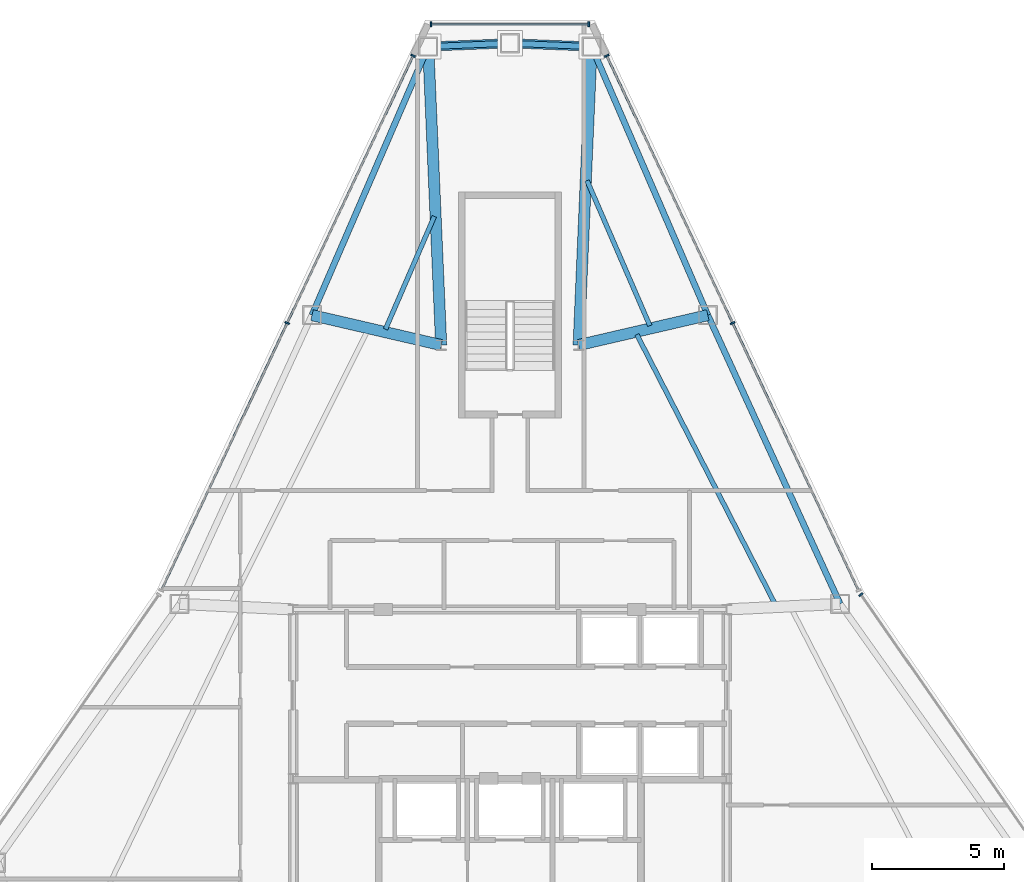
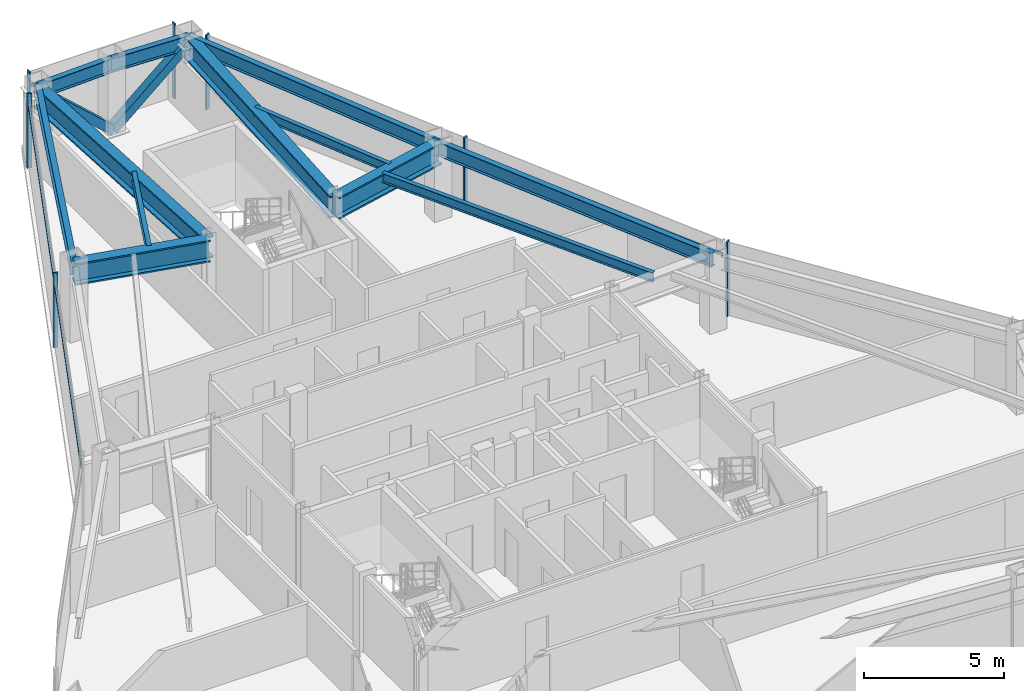
# One storey, part 7 of 12: 12 beams, 12 members, 4 elements without a shape of their own.
"""IFC4 building model written with IfcOpenShell, lengths in metres."""

from ifc_helpers import new_model, si_unit, direction, frame, origin, origin_2d, place, context, subcontext, project, spatial, rectangle, hollow_rectangle, i_section, extrude, source, transform, mapped, material, layer, layer_set, material_profile, profile_set, type_object, type_shapes, element, aggregate, save


model = new_model("IFC4")

# Units and contexts
model_context = context("Model", 3, precision=1e-05, world=origin(), true_north=direction((0.0, 1.0)))
body_context = subcontext(model_context, "Body", "Model", "MODEL_VIEW")
ifc_project = project(units=[si_unit("LENGTHUNIT", "METRE"), si_unit("AREAUNIT", "SQUARE_METRE"), si_unit("VOLUMEUNIT", "CUBIC_METRE"), si_unit("PLANEANGLEUNIT", "RADIAN"), si_unit("MASSUNIT", "GRAM", prefix="KILO")], contexts=[model_context])

# Site, building, storey
site_placement = place(None, origin())
site = spatial("IfcSite", under=ifc_project, at=site_placement, CompositionType="ELEMENT")
building_placement = place(site_placement, origin())
building = spatial("IfcBuilding", under=site, at=building_placement, Name="Varakhsha Concourse Tower", CompositionType="ELEMENT")
storey_placement = place(building_placement, frame((0.0, 0.0, 229.39990234375)))
storey = spatial("IfcBuildingStorey", under=building, at=storey_placement, Name="L65", CompositionType="ELEMENT", Elevation=229.39990234375)

# Beams
ifc_material_1 = material(Name="Structural Steel ASTM A992 Grade 50", Category="steel")
ifc_material_profile_1 = material_profile(ifc_material_1, i_section(OverallWidth=0.177978515625, OverallDepth=0.406982421875, WebThickness=0.008056640625, FlangeThickness=0.012939453125, at=origin_2d()), Name="W16X40")
ifc_profile_set_1 = profile_set([ifc_material_profile_1], Name="Structural Steel ASTM A992 Grade 50")
beam_type_1 = type_object("IfcBeamType", Name="BM-JST-W16X40", PredefinedType="JOIST", material=ifc_profile_set_1)
beam_1_placement = place(storey_placement, frame((37.140625, 46.0673828125, 3.046630859375), z_axis=(-0.397166916615, -0.917746392173, 0.0), x_axis=(0.917746392173, -0.397166916615, 0.0)))
element("IfcBeam", 1, at=beam_1_placement, inside=storey, type_object=beam_type_1, Name="BM-TJST-L65-03", PredefinedType="JOIST", context=body_context, shape_type="SweptSolid", body=[
    extrude(i_section(OverallWidth=0.177978515625, OverallDepth=0.406982421875, WebThickness=0.008056640625, FlangeThickness=0.012939453125, at=origin_2d()), origin(), (0.0, 0.0, 1.0), 4.65087890625),
])
beam_2_placement = place(storey_placement, frame((50.037353515625, 31.390869140625, 3.046630859375), z_axis=(-0.456398720102, 0.889775369568, 0.0), x_axis=(-0.889775369568, -0.456398720102, 0.0)))
element("IfcBeam", 2, at=beam_2_placement, inside=storey, type_object=beam_type_1, Name="BM-TJST-L65-17", PredefinedType="JOIST", context=body_context, shape_type="SweptSolid", body=[
    extrude(i_section(OverallWidth=0.177978515625, OverallDepth=0.406982421875, WebThickness=0.008056640625, FlangeThickness=0.012939453125, at=origin_2d()), origin(), (0.0, 0.0, 1.0), 11.47412109375),
])
beam_3_placement = place(storey_placement, frame((45.293212890625, 41.93505859375, 3.046630859375), z_axis=(-0.397223519068, 0.917721894639, 0.0), x_axis=(-0.917721894639, -0.397223519068, 0.0)))
element("IfcBeam", 3, at=beam_3_placement, inside=storey, type_object=beam_type_1, Name="BM-TJST-L65-18", PredefinedType="JOIST", context=body_context, shape_type="SweptSolid", body=[
    extrude(i_section(OverallWidth=0.177978515625, OverallDepth=0.406982421875, WebThickness=0.008056640625, FlangeThickness=0.012939453125, at=origin_2d()), origin(), (0.0, 0.0, 1.0), 5.97900390625),
])
ifc_material_profile_2 = material_profile(ifc_material_1, i_section(OverallWidth=0.423095703125, OverallDepth=0.947998046875, WebThickness=0.0380859375, FlangeThickness=0.06396484375, at=origin_2d()), Name="W36X302")
ifc_profile_set_2 = profile_set([ifc_material_profile_2], Name="Structural Steel ASTM A992 Grade 50")
beam_type_2 = type_object("IfcBeamType", Name="BM-OUTR-W36X302", PredefinedType="USERDEFINED", material=ifc_profile_set_2)
for number, where, z_axis, x_axis, name in (
    (4, (42.60009765625, 41.199951171875, 2.776123046875), (0.043353794227, 0.999059782258, 0.0), (-0.999059782258, 0.043353794227, 0.0), "L65 Radial Floor Girder 01"),
    (5, (37.39990234375, 41.199951171875, 2.776123046875), (-0.043353794227, 0.999059782258, 0.0), (-0.999059782258, -0.043353794227, 0.0), "L65 Radial Floor Girder 03"),
):
    element("IfcBeam", number, at=place(storey_placement, frame(where, z_axis=z_axis, x_axis=x_axis)), inside=storey, type_object=beam_type_2, Name=name, ObjectType="GIRDER", PredefinedType="USERDEFINED", context=body_context, shape_type="SweptSolid", body=[
        extrude(i_section(OverallWidth=0.423095703125, OverallDepth=0.947998046875, WebThickness=0.0380859375, FlangeThickness=0.06396484375, at=origin_2d()), origin(), (0.0, 0.0, 1.0), 11.30224609375),
    ])
for number, where, z_axis, x_axis, name in (
    (6, (37.39990234375, 41.199951171875, 2.776123046875), (-0.974191491968, 0.225723142316, 0.0), (-0.225723142316, -0.974191491968, 0.0), "L65 Radial Floor Girder 04"),
    (7, (42.60009765625, 41.199951171875, 2.776123046875), (0.974191491968, 0.225723142316, 0.0), (-0.225723142316, 0.974191491968, 0.0), "L65 Radial Floor Girder 18"),
):
    element("IfcBeam", number, at=place(storey_placement, frame(where, z_axis=z_axis, x_axis=x_axis)), inside=storey, type_object=beam_type_2, Name=name, ObjectType="GIRDER", PredefinedType="USERDEFINED", context=body_context, shape_type="SweptSolid", body=[
        extrude(i_section(OverallWidth=0.423095703125, OverallDepth=0.947998046875, WebThickness=0.0380859375, FlangeThickness=0.06396484375, at=origin_2d()), origin(), (0.0, 0.0, 1.0), 5.016357421875),
    ])
ifc_material_profile_3 = material_profile(ifc_material_1, i_section(OverallWidth=0.22900390625, OverallDepth=0.612060546875, WebThickness=0.011962890625, FlangeThickness=0.02001953125, at=origin_2d()), Name="W24X84")
ifc_profile_set_3 = profile_set([ifc_material_profile_3], Name="Structural Steel ASTM A992 Grade 50")
beam_type_3 = type_object("IfcBeamType", Name="BM-SPAN-W24X84", PredefinedType="SPANDREL", material=ifc_profile_set_3)
for number, where, z_axis, x_axis, name in (
    (8, (43.090087890625, 52.491455078125, 2.944091796875), (-0.999170021385, 0.040734117961, 0.0), (-0.040734117961, -0.999170021385, 0.0), "BM-SPAN-L65-01"),
    (9, (40.0, 52.617431640625, 2.944091796875), (-0.999170021385, -0.040734117961, 0.0), (0.040734117961, -0.999170021385, 0.0), "BM-SPAN-L65-02"),
):
    element("IfcBeam", number, at=place(storey_placement, frame(where, z_axis=z_axis, x_axis=x_axis)), inside=storey, type_object=beam_type_3, Name=name, PredefinedType="SPANDREL", context=body_context, shape_type="SweptSolid", body=[
        extrude(i_section(OverallWidth=0.22900390625, OverallDepth=0.612060546875, WebThickness=0.011962890625, FlangeThickness=0.02001953125, at=origin_2d()), origin(), (0.0, 0.0, 1.0), 3.0927734375),
    ])
beam_4_placement = place(storey_placement, frame((36.909912109375, 52.491455078125, 2.944091796875), z_axis=(-0.397201381513, -0.917731476263, 0.0), x_axis=(0.917731476263, -0.397201381513, 0.0)))
element("IfcBeam", 10, at=beam_4_placement, inside=storey, type_object=beam_type_3, Name="BM-SPAN-L65-03", PredefinedType="SPANDREL", context=body_context, shape_type="SweptSolid", body=[
    extrude(i_section(OverallWidth=0.22900390625, OverallDepth=0.612060546875, WebThickness=0.011962890625, FlangeThickness=0.02001953125, at=origin_2d()), origin(), (0.0, 0.0, 1.0), 11.06982421875),
])
beam_5_placement = place(storey_placement, frame((52.489990234375, 31.4111328125, 2.944091796875), z_axis=(-0.416476249185, 0.909146596466, 0.0), x_axis=(-0.909146596466, -0.416476249185, 0.0)))
element("IfcBeam", 11, at=beam_5_placement, inside=storey, type_object=beam_type_3, Name="BM-SPAN-L65-17", PredefinedType="SPANDREL", context=body_context, shape_type="SweptSolid", body=[
    extrude(i_section(OverallWidth=0.22900390625, OverallDepth=0.612060546875, WebThickness=0.011962890625, FlangeThickness=0.02001953125, at=origin_2d()), origin(), (0.0, 0.0, 1.0), 12.012451171875),
])
beam_6_placement = place(storey_placement, frame((47.487060546875, 42.332275390625, 2.944091796875), z_axis=(-0.397201381513, 0.917731476263, 0.0), x_axis=(-0.917731476263, -0.397201381513, 0.0)))
element("IfcBeam", 12, at=beam_6_placement, inside=storey, type_object=beam_type_3, Name="BM-SPAN-L65-18", PredefinedType="SPANDREL", context=body_context, shape_type="SweptSolid", body=[
    extrude(i_section(OverallWidth=0.22900390625, OverallDepth=0.612060546875, WebThickness=0.011962890625, FlangeThickness=0.02001953125, at=origin_2d()), origin(), (0.0, 0.0, 1.0), 11.06982421875),
])

# Members
ifc_material_2 = material(Name="Structural Steel ASTM A500 Grade C", Category="steel")
ifc_material_profile_4 = material_profile(ifc_material_2, hollow_rectangle(XDim=0.35009765625, YDim=0.35009765625, WallThickness=0.01611328125, at=origin_2d()), Name="HSS 350x350x16")
ifc_profile_set_4 = profile_set([ifc_material_profile_4], Name="Structural Steel ASTM A500 Grade C")
member_type_1 = type_object("IfcMemberType", Name="MB-TUBE-HSS350", PredefinedType="BRACE", material=ifc_profile_set_4)
shared_shape_1 = source(origin(), body_context, "Body", "SweptSolid", [
    extrude(hollow_rectangle(XDim=0.35009765625, YDim=0.35009765625, WallThickness=0.01611328125, at=origin_2d()), origin(), (0.0, 0.0, 1.0), 4.192138671875),
])
type_shapes(member_type_1, [shared_shape_1])
for number, where, z_axis, x_axis, name in (
    (13, (40.0, 52.617431640625, 0.1201171875), (0.737118493094, -0.030050813181, 0.675095012399), (0.040734117961, 0.999170021385, 0.0), "L65 Wind-Corner Tube Brace B01"),
    (14, (40.0, 52.617431640625, 0.1201171875), (-0.737118493094, -0.030050813181, 0.675095012399), (0.040734117961, -0.999170021385, 0.0), "L65 Wind-Corner Tube Brace B02"),
):
    element("IfcMember", number, at=place(storey_placement, frame(where, z_axis=z_axis, x_axis=x_axis)), inside=storey, type_object=member_type_1, Name=name, PredefinedType="BRACE", context=body_context, shape_type="MappedRepresentation", body=[
        mapped(shared_shape_1, transform((0.0, 0.0, 0.0), scale=1.0)),
    ])

# Curtain wall, members
ifc_material_3 = material(Name="Anodised Bronze Architectural Aluminium AA 6063-T6", Category="aluminium")
ifc_layer = layer(ifc_material_3, 0.199951171875, Name="CW-SYS-05")
ifc_layer_set = layer_set([ifc_layer], Name="Anodised Bronze Architectural Aluminium AA 6063-T6")
curtain_wall_type = type_object("IfcCurtainWallType", Name="CW-SYS-05", PredefinedType="NOTDEFINED", material=ifc_layer_set)
curtain_wall_1_placement = place(storey_placement, origin())
curtain_wall_1 = element("IfcCurtainWall", 15, at=curtain_wall_1_placement, inside=storey, type_object=curtain_wall_type, Name="L65 Chamfer Curtain Wall F1", PredefinedType="NOTDEFINED")
ifc_material_profile_5 = material_profile(ifc_material_3, rectangle(XDim=0.06494140625, YDim=0.179931640625, at=origin_2d()), Name="CWM-180X65")
ifc_profile_set_5 = profile_set([ifc_material_profile_5], Name="Anodised Bronze Architectural Aluminium AA 6063-T6")
member_type_2 = type_object("IfcMemberType", Name="CWM-180X65", PredefinedType="MULLION", material=ifc_profile_set_5)
shared_shape_2 = source(origin(), body_context, "Body", "SweptSolid", [
    extrude(rectangle(XDim=0.06494140625, YDim=0.179931640625, at=origin_2d()), origin(), (0.0, 0.0, 1.0), 3.25),
])
type_shapes(member_type_2, [shared_shape_2])
member_1_placement = place(storey_placement, frame((37.02001953125, 53.33740234375, 0.0), z_axis=(0.0, 0.0, 1.0), x_axis=(1.0, 0.0, 0.0)))
member_1 = element("IfcMember", 16, at=member_1_placement, type_object=member_type_2, Name="CW-L65-F1 Mullion 00", PredefinedType="MULLION", context=body_context, shape_type="MappedRepresentation", body=[
    mapped(shared_shape_2, transform((0.0, 0.0, 0.0), scale=1.0)),
])
member_2_placement = place(storey_placement, frame((42.97998046875, 53.33740234375, 0.0), z_axis=(0.0, 0.0, 1.0), x_axis=(1.0, 0.0, 0.0)))
member_2 = element("IfcMember", 17, at=member_2_placement, type_object=member_type_2, Name="CW-L65-F1 Mullion 01", PredefinedType="MULLION", context=body_context, shape_type="MappedRepresentation", body=[
    mapped(shared_shape_2, transform((0.0, 0.0, 0.0), scale=1.0)),
])

curtain_wall_2_placement = place(storey_placement, origin())
curtain_wall_2 = element("IfcCurtainWall", 18, at=curtain_wall_2_placement, inside=storey, type_object=curtain_wall_type, Name="L65 Crystal Curtain Wall F2", PredefinedType="NOTDEFINED")
member_3_placement = place(storey_placement, frame((31.575927734375, 42.032958984375, 0.0), z_axis=(0.0, 0.0, 1.0), x_axis=(0.426172477405, 0.904641928888, 0.0)))
member_3 = element("IfcMember", 19, at=member_3_placement, type_object=member_type_2, Name="CW-L65-F2 Mullion 01", PredefinedType="MULLION", context=body_context, shape_type="MappedRepresentation", body=[
    mapped(shared_shape_2, transform((0.0, 0.0, 0.0), scale=1.0)),
])
member_4_placement = place(storey_placement, frame((36.339599609375, 52.14453125, 0.0), z_axis=(0.0, 0.0, 1.0), x_axis=(0.426172477405, 0.904641928888, 0.0)))
member_4 = element("IfcMember", 20, at=member_4_placement, type_object=member_type_2, Name="CW-L65-F2 Mullion 02", PredefinedType="MULLION", context=body_context, shape_type="MappedRepresentation", body=[
    mapped(shared_shape_2, transform((0.0, 0.0, 0.0), scale=1.0)),
])

# Curtain wall, member
curtain_wall_3_placement = place(storey_placement, origin())
curtain_wall_3 = element("IfcCurtainWall", 21, at=curtain_wall_3_placement, inside=storey, type_object=curtain_wall_type, Name="L65 Crystal Curtain Wall F8", PredefinedType="NOTDEFINED")
member_5_placement = place(storey_placement, frame((53.280517578125, 31.760009765625, 0.0), z_axis=(0.0, 0.0, 1.0), x_axis=(0.570360953861, -0.821394169879, 0.0)))
member_5 = element("IfcMember", 22, at=member_5_placement, type_object=member_type_2, Name="CW-L65-F8 Mullion 00", PredefinedType="MULLION", context=body_context, shape_type="MappedRepresentation", body=[
    mapped(shared_shape_2, transform((0.0, 0.0, 0.0), scale=1.0)),
])
aggregate(curtain_wall_3, [member_5])

# Curtain wall, members
curtain_wall_4_placement = place(storey_placement, origin())
curtain_wall_4 = element("IfcCurtainWall", 23, at=curtain_wall_4_placement, inside=storey, type_object=curtain_wall_type, Name="L65 Crystal Curtain Wall F9", PredefinedType="NOTDEFINED")
member_6_placement = place(storey_placement, frame((43.660400390625, 52.14453125, 0.0), z_axis=(0.0, 0.0, 1.0), x_axis=(0.426172477405, -0.904641928888, 0.0)))
member_6 = element("IfcMember", 24, at=member_6_placement, type_object=member_type_2, Name="CW-L65-F9 Mullion 00", PredefinedType="MULLION", context=body_context, shape_type="MappedRepresentation", body=[
    mapped(shared_shape_2, transform((0.0, 0.0, 0.0), scale=1.0)),
])
member_7_placement = place(storey_placement, frame((48.423828125, 42.032958984375, 0.0), z_axis=(0.0, 0.0, 1.0), x_axis=(0.426172477405, -0.904641928888, 0.0)))
member_7 = element("IfcMember", 25, at=member_7_placement, type_object=member_type_2, Name="CW-L65-F9 Mullion 01", PredefinedType="MULLION", context=body_context, shape_type="MappedRepresentation", body=[
    mapped(shared_shape_2, transform((0.0, 0.0, 0.0), scale=1.0)),
])

# Member
ifc_material_profile_6 = material_profile(ifc_material_3, rectangle(XDim=0.06005859375, YDim=0.139892578125, at=origin_2d()), Name="CWT-140X60")
ifc_profile_set_6 = profile_set([ifc_material_profile_6], Name="Anodised Bronze Architectural Aluminium AA 6063-T6")
member_type_3 = type_object("IfcMemberType", Name="CWT-140X60", PredefinedType="USERDEFINED", material=ifc_profile_set_6)
shared_shape_3 = source(origin(), body_context, "Body", "SweptSolid", [
    extrude(rectangle(XDim=0.06005859375, YDim=0.139892578125, at=origin_2d()), origin(), (0.0, 0.0, 1.0), 22.35498046875),
])
member_8_placement = place(storey_placement, frame((26.8125, 31.92138671875, 2.60009765625), z_axis=(0.426175154781, 0.904640667584, 0.0), x_axis=(-0.904640667584, 0.426175154781, 0.0)))
member_8 = element("IfcMember", 26, at=member_8_placement, type_object=member_type_3, Name="CW-L65-F2 Transom 01", ObjectType="TRANSOM", PredefinedType="USERDEFINED", context=body_context, shape_type="MappedRepresentation", body=[
    mapped(shared_shape_3, transform((0.0, 0.0, 0.0), scale=1.0)),
])

aggregate(curtain_wall_2, [member_3, member_4, member_8])

member_9_placement = place(storey_placement, frame((43.660400390625, 52.14453125, 2.60009765625), z_axis=(0.426175154781, -0.904640667584, 0.0), x_axis=(0.904640667584, 0.426175154781, 0.0)))
member_9 = element("IfcMember", 27, at=member_9_placement, type_object=member_type_3, Name="CW-L65-F9 Transom 01", ObjectType="TRANSOM", PredefinedType="USERDEFINED", context=body_context, shape_type="MappedRepresentation", body=[
    mapped(shared_shape_3, transform((0.0, 0.0, 0.0), scale=1.0)),
])

aggregate(curtain_wall_4, [member_6, member_7, member_9])

shared_shape_4 = source(origin(), body_context, "Body", "SweptSolid", [
    extrude(rectangle(XDim=0.06005859375, YDim=0.139892578125, at=origin_2d()), origin(), (0.0, 0.0, 1.0), 5.9599609375),
])
type_shapes(member_type_3, [shared_shape_3, shared_shape_4])
member_10_placement = place(storey_placement, frame((37.02001953125, 53.33740234375, 2.60009765625), z_axis=(1.0, 0.0, 0.0), x_axis=(0.0, 1.0, 0.0)))
member_10 = element("IfcMember", 28, at=member_10_placement, type_object=member_type_3, Name="CW-L65-F1 Transom 01", ObjectType="TRANSOM", PredefinedType="USERDEFINED", context=body_context, shape_type="MappedRepresentation", body=[
    mapped(shared_shape_4, transform((0.0, 0.0, 0.0), scale=1.0)),
])

aggregate(curtain_wall_1, [member_1, member_2, member_10])

save(model, "model.ifc")
